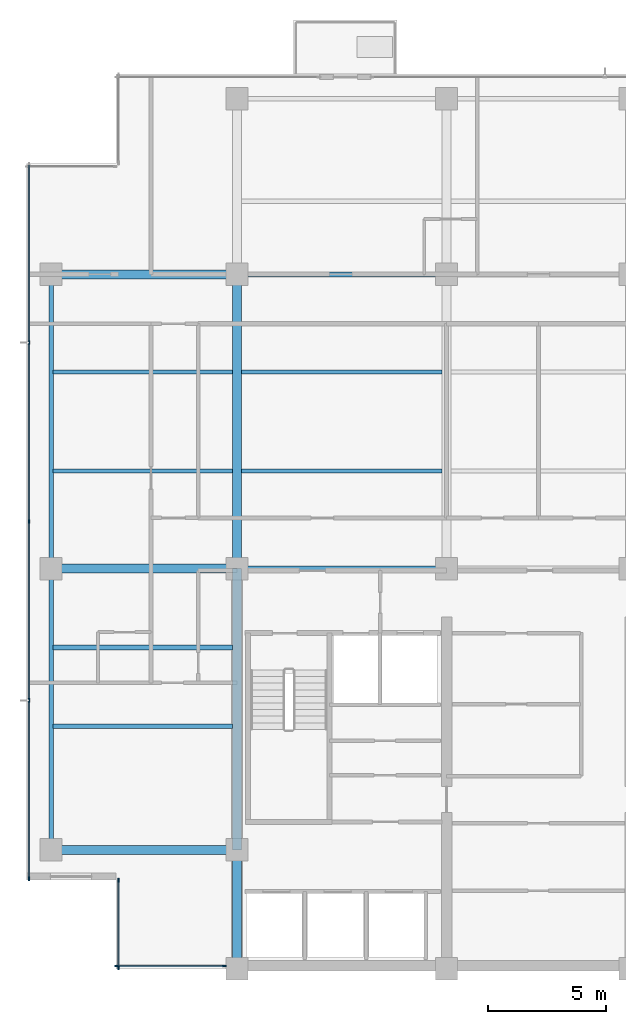
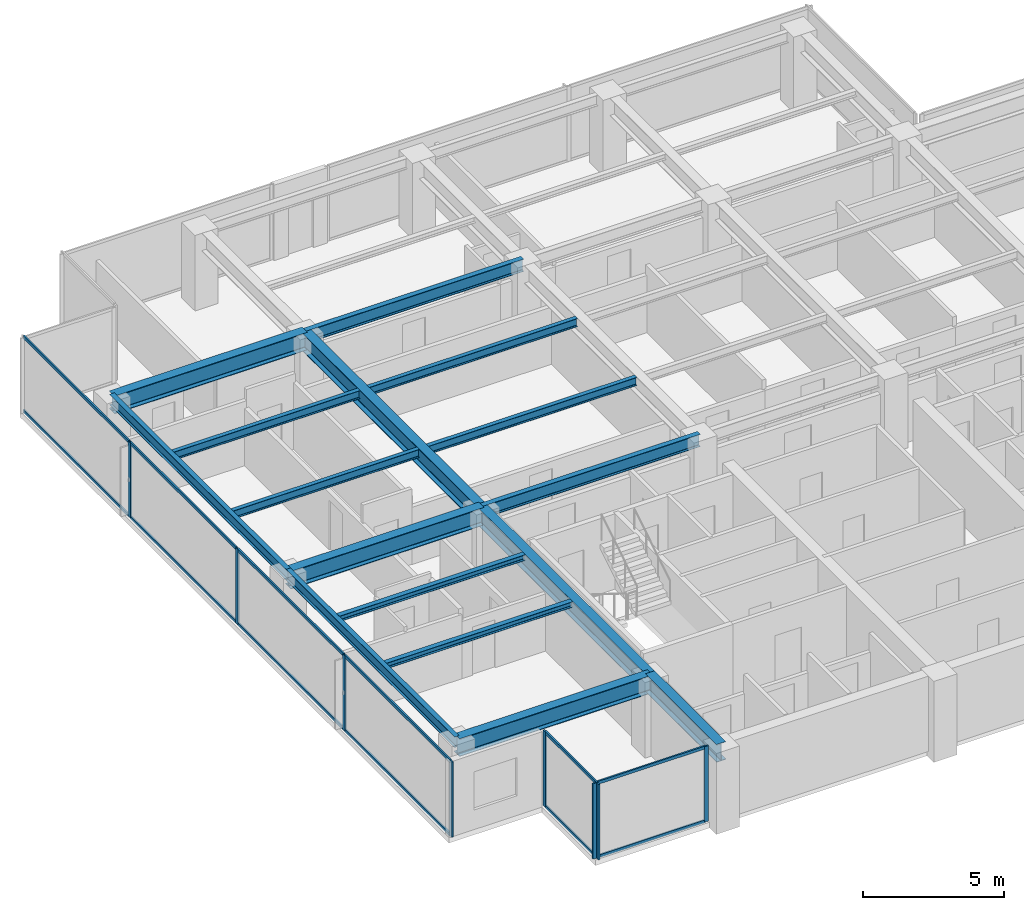
# One storey, part 2 of 14: 20 members, 16 beams, 3 elements without a shape of their own.
"""IFC4 building model written with IfcOpenShell, lengths in metres."""

from ifc_helpers import new_model, si_unit, direction, frame, origin, origin_2d, place, context, subcontext, project, spatial, rectangle, i_section, extrude, material, layer, layer_set, material_profile, profile_set, type_object, element, aggregate, save


model = new_model("IFC4")

# Units and contexts
model_context = context("Model", 3, precision=1e-05, world=origin(), true_north=direction((0.0, 1.0)))
body_context = subcontext(model_context, "Body", "Model", "MODEL_VIEW")
ifc_project = project(units=[si_unit("LENGTHUNIT", "METRE"), si_unit("AREAUNIT", "SQUARE_METRE"), si_unit("VOLUMEUNIT", "CUBIC_METRE"), si_unit("PLANEANGLEUNIT", "RADIAN"), si_unit("MASSUNIT", "GRAM", prefix="KILO")], contexts=[model_context])

# Site, building, storey
site_placement = place(None, origin())
site = spatial("IfcSite", under=ifc_project, at=site_placement, CompositionType="ELEMENT")
building_placement = place(site_placement, origin())
building = spatial("IfcBuilding", under=site, at=building_placement, Name="Qalmaran Belvedere Hotel", CompositionType="ELEMENT")
storey_placement = place(building_placement, frame((0.0, 0.0, 217.89990234375)))
storey = spatial("IfcBuildingStorey", under=building, at=storey_placement, Name="L55", CompositionType="ELEMENT", Elevation=217.89990234375)

# Beams
ifc_material_1 = material(Name="Steel S355JR", Category="steel")
ifc_material_profile_1 = material_profile(ifc_material_1, i_section(OverallWidth=0.201904296875, OverallDepth=0.2470703125, WebThickness=0.00732421875, FlangeThickness=0.010986328125, FilletRadius=0.011962890625, at=origin_2d()), Name="W250X49")
ifc_profile_set_1 = profile_set([ifc_material_profile_1], Name="Steel S355JR")
beam_type_1 = type_object("IfcBeamType", Name="BM-JST-W250X49", PredefinedType="JOIST", material=ifc_profile_set_1)
for number, where, z_axis, x_axis, name in (
    (1, (12.493896484375, 13.800048828125, 3.13671875), (1.0, 0.0, 0.0), (0.0, 1.0, 0.0), "L55 West Wing Joist 038"),
    (2, (12.493896484375, 17.14990234375, 3.13671875), (1.0, 0.0, 0.0), (0.0, 1.0, 0.0), "L55 West Wing Joist 040"),
):
    element("IfcBeam", number, at=place(storey_placement, frame(where, z_axis=z_axis, x_axis=x_axis)), inside=storey, type_object=beam_type_1, Name=name, PredefinedType="JOIST", context=body_context, shape_type="SweptSolid", body=[
        extrude(i_section(OverallWidth=0.201904296875, OverallDepth=0.2470703125, WebThickness=0.00732421875, FlangeThickness=0.010986328125, FilletRadius=0.011962890625, at=origin_2d()), origin(), (0.0, 0.0, 1.0), 7.61767578125),
    ])
ifc_material_profile_2 = material_profile(ifc_material_1, i_section(OverallWidth=0.381103515625, OverallDepth=0.77294921875, WebThickness=0.0166015625, FlangeThickness=0.027099609375, FilletRadius=0.02197265625, at=origin_2d()), Name="W760X257")
ifc_profile_set_2 = profile_set([ifc_material_profile_2], Name="Steel S355JR")
beam_type_2 = type_object("IfcBeamType", Name="BM-PG4-W760X257", PredefinedType="USERDEFINED", material=ifc_profile_set_2)
beam_1_placement = place(storey_placement, frame((20.300048828125, 20.5, 2.87353515625), z_axis=(0.0, 1.0, 0.0), x_axis=(-1.0, 0.0, 0.0)))
element("IfcBeam", 3, at=beam_1_placement, inside=storey, type_object=beam_type_2, Name="L55 Mid-Plate N-S Girder 14", ObjectType="GIRDER", PredefinedType="USERDEFINED", context=body_context, shape_type="SweptSolid", body=[
    extrude(i_section(OverallWidth=0.381103515625, OverallDepth=0.77294921875, WebThickness=0.0166015625, FlangeThickness=0.027099609375, FilletRadius=0.02197265625, at=origin_2d()), origin(), (0.0, 0.0, 1.0), 12.5),
])
for number, where, z_axis, x_axis, name in (
    (4, (12.39990234375, 8.550048828125, 2.87353515625), (1.0, 0.0, 0.0), (0.0, 1.0, 0.0), "L55 West Wing Girder 22"),
    (5, (12.39990234375, 20.5, 2.87353515625), (1.0, 0.0, 0.0), (0.0, 1.0, 0.0), "L55 West Wing Girder 23"),
    (6, (12.39990234375, 33.0, 2.87353515625), (1.0, 0.0, 0.0), (0.0, 1.0, 0.0), "L55 West Wing Girder 24"),
):
    element("IfcBeam", number, at=place(storey_placement, frame(where, z_axis=z_axis, x_axis=x_axis)), inside=storey, type_object=beam_type_2, Name=name, ObjectType="GIRDER", PredefinedType="USERDEFINED", context=body_context, shape_type="SweptSolid", body=[
        extrude(i_section(OverallWidth=0.381103515625, OverallDepth=0.77294921875, WebThickness=0.0166015625, FlangeThickness=0.027099609375, FilletRadius=0.02197265625, at=origin_2d()), origin(), (0.0, 0.0, 1.0), 7.900146484375),
    ])
beam_2_placement = place(storey_placement, frame((20.300048828125, 3.5, 2.87353515625), z_axis=(0.0, 1.0, 0.0), x_axis=(-1.0, 0.0, 0.0)))
element("IfcBeam", 7, at=beam_2_placement, inside=storey, type_object=beam_type_2, Name="L55 West Core Edge Girder A", ObjectType="GIRDER", PredefinedType="USERDEFINED", context=body_context, shape_type="SweptSolid", body=[
    extrude(i_section(OverallWidth=0.381103515625, OverallDepth=0.77294921875, WebThickness=0.0166015625, FlangeThickness=0.027099609375, FilletRadius=0.02197265625, at=origin_2d()), origin(), (0.0, 0.0, 1.0), 5.050048828125),
])
beam_3_placement = place(storey_placement, frame((20.300048828125, 8.550048828125, 2.87353515625), z_axis=(0.0, 1.0, 0.0), x_axis=(-1.0, 0.0, 0.0)))
element("IfcBeam", 8, at=beam_3_placement, inside=storey, type_object=beam_type_2, Name="L55 West Core Edge Girder B", ObjectType="GIRDER", PredefinedType="USERDEFINED", context=body_context, shape_type="SweptSolid", body=[
    extrude(i_section(OverallWidth=0.381103515625, OverallDepth=0.77294921875, WebThickness=0.0166015625, FlangeThickness=0.027099609375, FilletRadius=0.02197265625, at=origin_2d()), origin(), (0.0, 0.0, 1.0), 11.949951171875),
])
ifc_material_profile_3 = material_profile(ifc_material_1, i_section(OverallWidth=0.172119140625, OverallDepth=0.35791015625, WebThickness=0.0078125, FlangeThickness=0.01318359375, FilletRadius=0.014892578125, at=origin_2d()), Name="W360X57")
ifc_profile_set_3 = profile_set([ifc_material_profile_3], Name="Steel S355JR")
beam_type_3 = type_object("IfcBeamType", Name="BM-SB4-W360X57", PredefinedType="BEAM", material=ifc_profile_set_3)
beam_4_placement = place(storey_placement, frame((12.493896484375, 24.64990234375, 3.0810546875), z_axis=(1.0, 0.0, 0.0), x_axis=(0.0, 1.0, 0.0)))
element("IfcBeam", 9, at=beam_4_placement, inside=storey, type_object=beam_type_3, Name="L55 West Secondary Beam 028", PredefinedType="BEAM", context=body_context, shape_type="SweptSolid", body=[
    extrude(i_section(OverallWidth=0.172119140625, OverallDepth=0.35791015625, WebThickness=0.0078125, FlangeThickness=0.01318359375, FilletRadius=0.014892578125, at=origin_2d()), origin(), (0.0, 0.0, 1.0), 7.61767578125),
])
beam_5_placement = place(storey_placement, frame((20.488525390625, 24.64990234375, 3.0810546875), z_axis=(1.0, 0.0, 0.0), x_axis=(0.0, 1.0, 0.0)))
element("IfcBeam", 10, at=beam_5_placement, inside=storey, type_object=beam_type_3, Name="L55 Secondary Floor Beam 029", PredefinedType="BEAM", context=body_context, shape_type="SweptSolid", body=[
    extrude(i_section(OverallWidth=0.172119140625, OverallDepth=0.35791015625, WebThickness=0.0078125, FlangeThickness=0.01318359375, FilletRadius=0.014892578125, at=origin_2d()), origin(), (0.0, 0.0, 1.0), 8.52294921875),
])
beam_6_placement = place(storey_placement, frame((12.493896484375, 28.85009765625, 3.0810546875), z_axis=(1.0, 0.0, 0.0), x_axis=(0.0, 1.0, 0.0)))
element("IfcBeam", 11, at=beam_6_placement, inside=storey, type_object=beam_type_3, Name="L55 West Secondary Beam 033", PredefinedType="BEAM", context=body_context, shape_type="SweptSolid", body=[
    extrude(i_section(OverallWidth=0.172119140625, OverallDepth=0.35791015625, WebThickness=0.0078125, FlangeThickness=0.01318359375, FilletRadius=0.014892578125, at=origin_2d()), origin(), (0.0, 0.0, 1.0), 7.61767578125),
])
beam_7_placement = place(storey_placement, frame((20.488525390625, 28.85009765625, 3.0810546875), z_axis=(1.0, 0.0, 0.0), x_axis=(0.0, 1.0, 0.0)))
element("IfcBeam", 12, at=beam_7_placement, inside=storey, type_object=beam_type_3, Name="L55 Secondary Floor Beam 034", PredefinedType="BEAM", context=body_context, shape_type="SweptSolid", body=[
    extrude(i_section(OverallWidth=0.172119140625, OverallDepth=0.35791015625, WebThickness=0.0078125, FlangeThickness=0.01318359375, FilletRadius=0.014892578125, at=origin_2d()), origin(), (0.0, 0.0, 1.0), 8.52294921875),
])
ifc_material_profile_4 = material_profile(ifc_material_1, i_section(OverallWidth=0.19189453125, OverallDepth=0.462890625, WebThickness=0.010498046875, FlangeThickness=0.017578125, FilletRadius=0.01611328125, at=origin_2d()), Name="W460X89")
ifc_profile_set_4 = profile_set([ifc_material_profile_4], Name="Steel S355JR")
beam_type_4 = type_object("IfcBeamType", Name="BM-SP2-W460X89", PredefinedType="SPANDREL", material=ifc_profile_set_4)
beam_8_placement = place(storey_placement, frame((12.39990234375, 8.550048828125, 3.028564453125), z_axis=(0.0, 1.0, 0.0), x_axis=(-1.0, 0.0, 0.0)))
element("IfcBeam", 13, at=beam_8_placement, inside=storey, type_object=beam_type_4, Name="L55 Perimeter Spandrel 01", PredefinedType="SPANDREL", context=body_context, shape_type="SweptSolid", body=[
    extrude(i_section(OverallWidth=0.19189453125, OverallDepth=0.462890625, WebThickness=0.010498046875, FlangeThickness=0.017578125, FilletRadius=0.01611328125, at=origin_2d()), origin(), (0.0, 0.0, 1.0), 11.949951171875),
])
beam_9_placement = place(storey_placement, frame((12.39990234375, 20.5, 3.028564453125), z_axis=(0.0, 1.0, 0.0), x_axis=(-1.0, 0.0, 0.0)))
element("IfcBeam", 14, at=beam_9_placement, inside=storey, type_object=beam_type_4, Name="L55 Perimeter Spandrel 02", PredefinedType="SPANDREL", context=body_context, shape_type="SweptSolid", body=[
    extrude(i_section(OverallWidth=0.19189453125, OverallDepth=0.462890625, WebThickness=0.010498046875, FlangeThickness=0.017578125, FilletRadius=0.01611328125, at=origin_2d()), origin(), (0.0, 0.0, 1.0), 12.5),
])
ifc_material_profile_5 = material_profile(ifc_material_1, i_section(OverallWidth=0.2109375, OverallDepth=0.5390625, WebThickness=0.01171875, FlangeThickness=0.018798828125, FilletRadius=0.01806640625, at=origin_2d()), Name="W530X109")
ifc_profile_set_5 = profile_set([ifc_material_profile_5], Name="Steel S355JR")
beam_type_5 = type_object("IfcBeamType", Name="BM-Z4-W530X109", PredefinedType="USERDEFINED", material=ifc_profile_set_5)
for number, where, z_axis, x_axis, name in (
    (15, (20.300048828125, 20.5, 2.990478515625), (1.0, 0.0, 0.0), (0.0, 1.0, 0.0), "L55 Interior E-W Girder 08"),
    (16, (20.300048828125, 33.0, 2.990478515625), (1.0, 0.0, 0.0), (0.0, 1.0, 0.0), "L55 Interior E-W Girder 11"),
):
    element("IfcBeam", number, at=place(storey_placement, frame(where, z_axis=z_axis, x_axis=x_axis)), inside=storey, type_object=beam_type_5, Name=name, ObjectType="GIRDER", PredefinedType="USERDEFINED", context=body_context, shape_type="SweptSolid", body=[
        extrude(i_section(OverallWidth=0.2109375, OverallDepth=0.5390625, WebThickness=0.01171875, FlangeThickness=0.018798828125, FilletRadius=0.01806640625, at=origin_2d()), origin(), (0.0, 0.0, 1.0), 8.89990234375),
    ])

# Curtain wall, members
ifc_material_2 = material(Name="Anodised Bronze Aluminium", Category="aluminium")
ifc_layer = layer(ifc_material_2, 0.18994140625, Name="Anodised Bronze Aluminium")
ifc_layer_set = layer_set([ifc_layer], Name="Anodised Bronze Aluminium")
curtain_wall_type = type_object("IfcCurtainWallType", Name="CW5-TOWER-UPPER", PredefinedType="NOTDEFINED", material=ifc_layer_set)
curtain_wall_1_placement = place(storey_placement, origin())
curtain_wall_1 = element("IfcCurtainWall", 17, at=curtain_wall_1_placement, inside=storey, type_object=curtain_wall_type, Name="L55 Curtain Wall CW5", PredefinedType="NOTDEFINED")
ifc_material_profile_6 = material_profile(ifc_material_2, rectangle(XDim=0.06494140625, YDim=0.1650390625, at=origin_2d()), Name="CWM65X165")
ifc_profile_set_6 = profile_set([ifc_material_profile_6], Name="Anodised Bronze Aluminium")
member_type_1 = type_object("IfcMemberType", Name="CWM-65X165", PredefinedType="MULLION", material=ifc_profile_set_6)
member_1_placement = place(storey_placement, frame((15.1826171875, 3.6201171875, 0.0), z_axis=(0.0, 0.0, 1.0), x_axis=(0.0, 1.0, 0.0)))
member_1 = element("IfcMember", 18, at=member_1_placement, type_object=member_type_1, Name="CW5 mullion 1", PredefinedType="MULLION", context=body_context, shape_type="SweptSolid", body=[
    extrude(rectangle(XDim=0.06494140625, YDim=0.1650390625, at=origin_2d()), origin(), (0.0, 0.0, 1.0), 3.260009765625),
])
member_2_placement = place(storey_placement, frame((19.75244140625, 3.6201171875, 0.0), z_axis=(0.0, 0.0, 1.0), x_axis=(0.0, 1.0, 0.0)))
member_2 = element("IfcMember", 19, at=member_2_placement, type_object=member_type_1, Name="CW5 mullion 2", PredefinedType="MULLION", context=body_context, shape_type="SweptSolid", body=[
    extrude(rectangle(XDim=0.06494140625, YDim=0.1650390625, at=origin_2d()), origin(), (0.0, 0.0, 1.0), 3.260009765625),
])

curtain_wall_2_placement = place(storey_placement, origin())
curtain_wall_2 = element("IfcCurtainWall", 20, at=curtain_wall_2_placement, inside=storey, type_object=curtain_wall_type, Name="L55 Curtain Wall CW5", PredefinedType="NOTDEFINED")
member_3_placement = place(storey_placement, frame((11.469970703125, 30.10009765625, 0.0), z_axis=(0.0, 0.0, 1.0), x_axis=(1.0, 0.0, 0.0)))
member_3 = element("IfcMember", 21, at=member_3_placement, type_object=member_type_1, Name="CW5 mullion 2", PredefinedType="MULLION", context=body_context, shape_type="SweptSolid", body=[
    extrude(rectangle(XDim=0.06494140625, YDim=0.1650390625, at=origin_2d()), origin(), (0.0, 0.0, 1.0), 3.260009765625),
])
member_4_placement = place(storey_placement, frame((11.469970703125, 22.5, 0.0), z_axis=(0.0, 0.0, 1.0), x_axis=(1.0, 0.0, 0.0)))
member_4 = element("IfcMember", 22, at=member_4_placement, type_object=member_type_1, Name="CW5 mullion 3", PredefinedType="MULLION", context=body_context, shape_type="SweptSolid", body=[
    extrude(rectangle(XDim=0.06494140625, YDim=0.1650390625, at=origin_2d()), origin(), (0.0, 0.0, 1.0), 3.260009765625),
])
member_5_placement = place(storey_placement, frame((11.469970703125, 14.89990234375, 0.0), z_axis=(0.0, 0.0, 1.0), x_axis=(1.0, 0.0, 0.0)))
member_5 = element("IfcMember", 23, at=member_5_placement, type_object=member_type_1, Name="CW5 mullion 4", PredefinedType="MULLION", context=body_context, shape_type="SweptSolid", body=[
    extrude(rectangle(XDim=0.06494140625, YDim=0.1650390625, at=origin_2d()), origin(), (0.0, 0.0, 1.0), 3.260009765625),
])
member_6_placement = place(storey_placement, frame((11.469970703125, 7.33251953125, 0.0), z_axis=(0.0, 0.0, 1.0), x_axis=(1.0, 0.0, 0.0)))
member_6 = element("IfcMember", 24, at=member_6_placement, type_object=member_type_1, Name="CW5 mullion 5", PredefinedType="MULLION", context=body_context, shape_type="SweptSolid", body=[
    extrude(rectangle(XDim=0.06494140625, YDim=0.1650390625, at=origin_2d()), origin(), (0.0, 0.0, 1.0), 3.260009765625),
])

curtain_wall_3_placement = place(storey_placement, origin())
curtain_wall_3 = element("IfcCurtainWall", 25, at=curtain_wall_3_placement, inside=storey, type_object=curtain_wall_type, Name="L55 Curtain Wall CW5", PredefinedType="NOTDEFINED")
member_7_placement = place(storey_placement, frame((15.27001953125, 7.267578125, 0.0), z_axis=(0.0, 0.0, 1.0), x_axis=(1.0, 0.0, 0.0)))
member_7 = element("IfcMember", 26, at=member_7_placement, type_object=member_type_1, Name="CW5 mullion 1", PredefinedType="MULLION", context=body_context, shape_type="SweptSolid", body=[
    extrude(rectangle(XDim=0.06494140625, YDim=0.1650390625, at=origin_2d()), origin(), (0.0, 0.0, 1.0), 3.260009765625),
])
member_8_placement = place(storey_placement, frame((15.27001953125, 3.532470703125, 0.0), z_axis=(0.0, 0.0, 1.0), x_axis=(1.0, 0.0, 0.0)))
member_8 = element("IfcMember", 27, at=member_8_placement, type_object=member_type_1, Name="CW5 mullion 2", PredefinedType="MULLION", context=body_context, shape_type="SweptSolid", body=[
    extrude(rectangle(XDim=0.06494140625, YDim=0.1650390625, at=origin_2d()), origin(), (0.0, 0.0, 1.0), 3.260009765625),
])

# Member
ifc_material_profile_7 = material_profile(ifc_material_2, rectangle(XDim=0.06494140625, YDim=0.1298828125, at=origin_2d()), Name="CWT65X130")
ifc_profile_set_7 = profile_set([ifc_material_profile_7], Name="Anodised Bronze Aluminium")
member_type_2 = type_object("IfcMemberType", Name="CWT-65X130", PredefinedType="USERDEFINED", material=ifc_profile_set_7)
member_9_placement = place(storey_placement, frame((15.215087890625, 3.6201171875, 0.03271484375), z_axis=(1.0, 0.0, 0.0), x_axis=(0.0, 1.0, 0.0)))
member_9 = element("IfcMember", 28, at=member_9_placement, type_object=member_type_2, Name="CW5 transom 1.1", ObjectType="TRANSOM", PredefinedType="USERDEFINED", context=body_context, shape_type="SweptSolid", body=[
    extrude(rectangle(XDim=0.06494140625, YDim=0.1298828125, at=origin_2d()), origin(), (0.0, 0.0, 1.0), 4.5048828125),
])

member_10_placement = place(storey_placement, frame((15.215087890625, 3.6201171875, 3.2275390625), z_axis=(1.0, 0.0, 0.0), x_axis=(0.0, 1.0, 0.0)))
member_10 = element("IfcMember", 29, at=member_10_placement, type_object=member_type_2, Name="CW5 transom 1.2", ObjectType="TRANSOM", PredefinedType="USERDEFINED", context=body_context, shape_type="SweptSolid", body=[
    extrude(rectangle(XDim=0.06494140625, YDim=0.1298828125, at=origin_2d()), origin(), (0.0, 0.0, 1.0), 4.5048828125),
])

aggregate(curtain_wall_1, [member_1, member_2, member_9, member_10])

member_11_placement = place(storey_placement, frame((11.469970703125, 37.635009765625, 0.03271484375), z_axis=(0.0, -1.0, 0.0), x_axis=(1.0, 0.0, 0.0)))
member_11 = element("IfcMember", 30, at=member_11_placement, type_object=member_type_2, Name="CW5 transom 1.1", ObjectType="TRANSOM", PredefinedType="USERDEFINED", context=body_context, shape_type="SweptSolid", body=[
    extrude(rectangle(XDim=0.06494140625, YDim=0.1298828125, at=origin_2d()), origin(), (0.0, 0.0, 1.0), 7.50244140625),
])

member_12_placement = place(storey_placement, frame((11.469970703125, 37.635009765625, 3.2275390625), z_axis=(0.0, -1.0, 0.0), x_axis=(1.0, 0.0, 0.0)))
member_12 = element("IfcMember", 31, at=member_12_placement, type_object=member_type_2, Name="CW5 transom 1.2", ObjectType="TRANSOM", PredefinedType="USERDEFINED", context=body_context, shape_type="SweptSolid", body=[
    extrude(rectangle(XDim=0.06494140625, YDim=0.1298828125, at=origin_2d()), origin(), (0.0, 0.0, 1.0), 7.50244140625),
])

member_13_placement = place(storey_placement, frame((11.469970703125, 30.0673828125, 0.03271484375), z_axis=(0.0, -1.0, 0.0), x_axis=(1.0, 0.0, 0.0)))
member_13 = element("IfcMember", 32, at=member_13_placement, type_object=member_type_2, Name="CW5 transom 2.1", ObjectType="TRANSOM", PredefinedType="USERDEFINED", context=body_context, shape_type="SweptSolid", body=[
    extrude(rectangle(XDim=0.06494140625, YDim=0.1298828125, at=origin_2d()), origin(), (0.0, 0.0, 1.0), 7.534912109375),
])

member_14_placement = place(storey_placement, frame((11.469970703125, 30.0673828125, 3.2275390625), z_axis=(0.0, -1.0, 0.0), x_axis=(1.0, 0.0, 0.0)))
member_14 = element("IfcMember", 33, at=member_14_placement, type_object=member_type_2, Name="CW5 transom 2.2", ObjectType="TRANSOM", PredefinedType="USERDEFINED", context=body_context, shape_type="SweptSolid", body=[
    extrude(rectangle(XDim=0.06494140625, YDim=0.1298828125, at=origin_2d()), origin(), (0.0, 0.0, 1.0), 7.534912109375),
])

member_15_placement = place(storey_placement, frame((11.469970703125, 22.467529296875, 0.03271484375), z_axis=(0.0, -1.0, 0.0), x_axis=(1.0, 0.0, 0.0)))
member_15 = element("IfcMember", 34, at=member_15_placement, type_object=member_type_2, Name="CW5 transom 3.1", ObjectType="TRANSOM", PredefinedType="USERDEFINED", context=body_context, shape_type="SweptSolid", body=[
    extrude(rectangle(XDim=0.06494140625, YDim=0.1298828125, at=origin_2d()), origin(), (0.0, 0.0, 1.0), 7.534912109375),
])

member_16_placement = place(storey_placement, frame((11.469970703125, 22.467529296875, 3.2275390625), z_axis=(0.0, -1.0, 0.0), x_axis=(1.0, 0.0, 0.0)))
member_16 = element("IfcMember", 35, at=member_16_placement, type_object=member_type_2, Name="CW5 transom 3.2", ObjectType="TRANSOM", PredefinedType="USERDEFINED", context=body_context, shape_type="SweptSolid", body=[
    extrude(rectangle(XDim=0.06494140625, YDim=0.1298828125, at=origin_2d()), origin(), (0.0, 0.0, 1.0), 7.534912109375),
])

member_17_placement = place(storey_placement, frame((11.469970703125, 14.867431640625, 0.03271484375), z_axis=(0.0, -1.0, 0.0), x_axis=(1.0, 0.0, 0.0)))
member_17 = element("IfcMember", 36, at=member_17_placement, type_object=member_type_2, Name="CW5 transom 4.1", ObjectType="TRANSOM", PredefinedType="USERDEFINED", context=body_context, shape_type="SweptSolid", body=[
    extrude(rectangle(XDim=0.06494140625, YDim=0.1298828125, at=origin_2d()), origin(), (0.0, 0.0, 1.0), 7.50244140625),
])

member_18_placement = place(storey_placement, frame((11.469970703125, 14.867431640625, 3.2275390625), z_axis=(0.0, -1.0, 0.0), x_axis=(1.0, 0.0, 0.0)))
member_18 = element("IfcMember", 37, at=member_18_placement, type_object=member_type_2, Name="CW5 transom 4.2", ObjectType="TRANSOM", PredefinedType="USERDEFINED", context=body_context, shape_type="SweptSolid", body=[
    extrude(rectangle(XDim=0.06494140625, YDim=0.1298828125, at=origin_2d()), origin(), (0.0, 0.0, 1.0), 7.50244140625),
])

aggregate(curtain_wall_2, [member_3, member_4, member_5, member_6, member_11, member_12, member_13, member_14, member_15, member_16, member_17, member_18])

member_19_placement = place(storey_placement, frame((15.27001953125, 7.235107421875, 0.03271484375), z_axis=(0.0, -1.0, 0.0), x_axis=(1.0, 0.0, 0.0)))
member_19 = element("IfcMember", 38, at=member_19_placement, type_object=member_type_2, Name="CW5 transom 1.1", ObjectType="TRANSOM", PredefinedType="USERDEFINED", context=body_context, shape_type="SweptSolid", body=[
    extrude(rectangle(XDim=0.06494140625, YDim=0.1298828125, at=origin_2d()), origin(), (0.0, 0.0, 1.0), 3.670166015625),
])

member_20_placement = place(storey_placement, frame((15.27001953125, 7.235107421875, 3.2275390625), z_axis=(0.0, -1.0, 0.0), x_axis=(1.0, 0.0, 0.0)))
member_20 = element("IfcMember", 39, at=member_20_placement, type_object=member_type_2, Name="CW5 transom 1.2", ObjectType="TRANSOM", PredefinedType="USERDEFINED", context=body_context, shape_type="SweptSolid", body=[
    extrude(rectangle(XDim=0.06494140625, YDim=0.1298828125, at=origin_2d()), origin(), (0.0, 0.0, 1.0), 3.670166015625),
])

aggregate(curtain_wall_3, [member_7, member_8, member_19, member_20])

save(model, "model.ifc")
